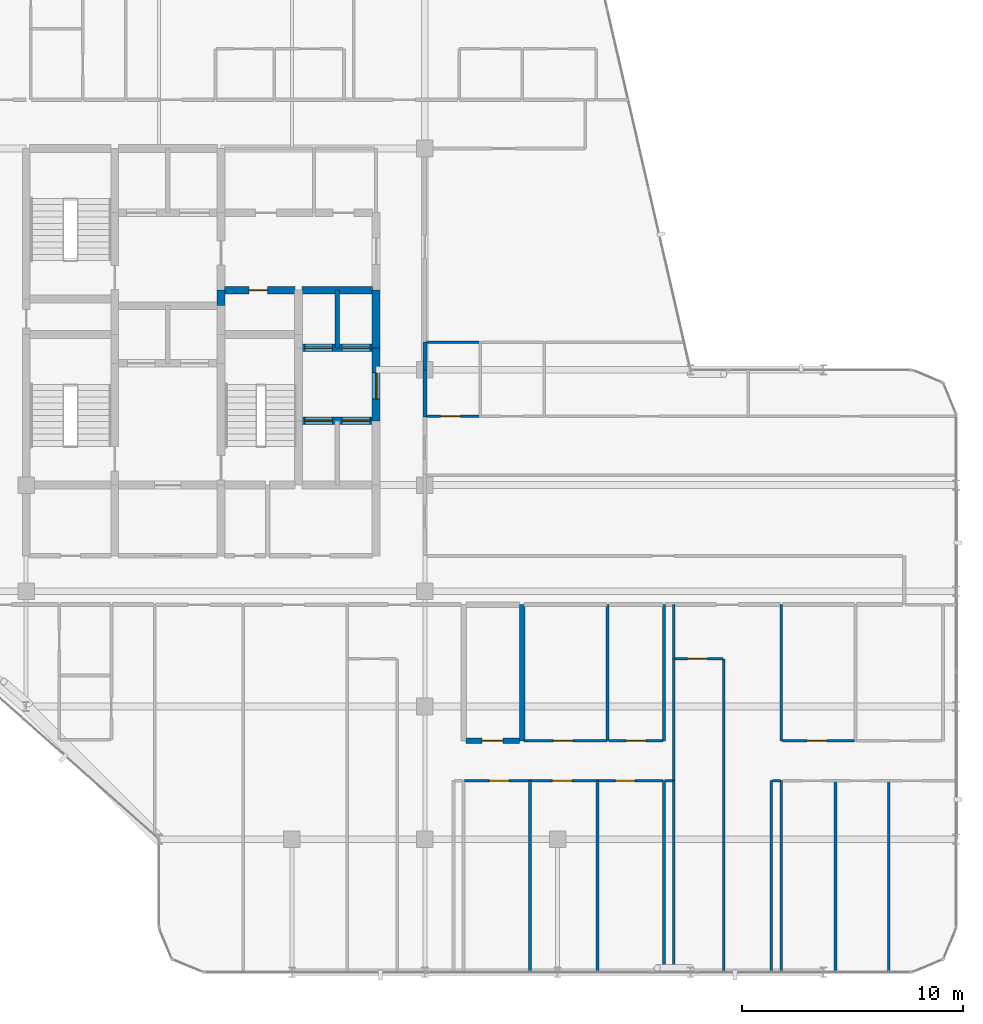
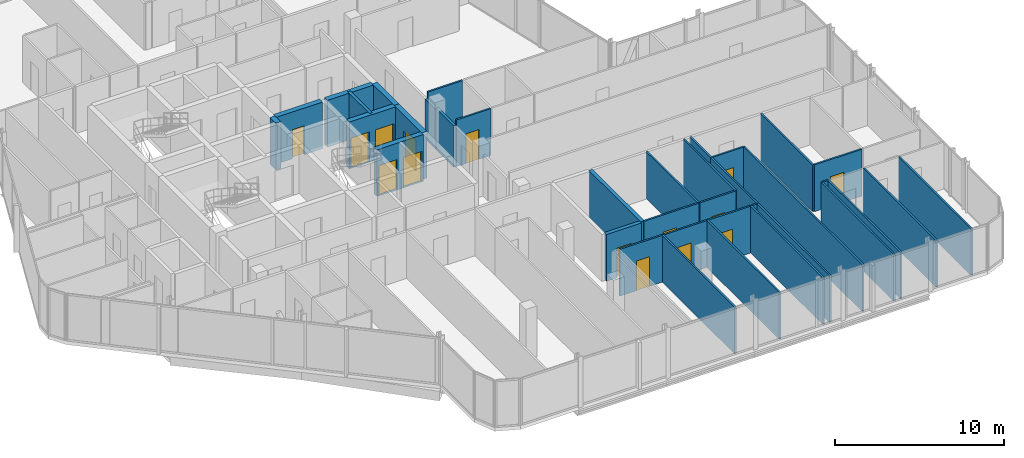
# One storey, part 25 of 29: 35 walls, 15 doors, 15 openings.
"""IFC4 building model written with IfcOpenShell, lengths in metres."""

from ifc_helpers import new_model, si_unit, direction, frame, frame_2d, origin, place, context, subcontext, project, spatial, rectangle, extrude, material, layer, layer_set, type_object, element, fill, save


model = new_model("IFC4")

# Units and contexts
model_context = context("Model", 3, precision=1e-05, world=origin(), true_north=direction((0.0, 1.0)))
body_context = subcontext(model_context, "Body", "Model", "MODEL_VIEW")
ifc_project = project(units=[si_unit("LENGTHUNIT", "METRE"), si_unit("AREAUNIT", "SQUARE_METRE"), si_unit("VOLUMEUNIT", "CUBIC_METRE"), si_unit("PLANEANGLEUNIT", "RADIAN"), si_unit("MASSUNIT", "GRAM", prefix="KILO")], contexts=[model_context])

# Site, building, storey
site_placement = place(None, origin())
site = spatial("IfcSite", under=ifc_project, at=site_placement, CompositionType="ELEMENT")
building_placement = place(site_placement, origin())
building = spatial("IfcBuilding", under=site, at=building_placement, Name="Keshet Zoharim Tower", CompositionType="ELEMENT")
storey_placement = place(building_placement, frame((0.0, 0.0, 210.60009765625)))
storey = spatial("IfcBuildingStorey", under=building, at=storey_placement, Name="L52", CompositionType="ELEMENT", Elevation=210.60009765625)

# Wall
ifc_material_1 = material(Name="Concrete C60/75", Category="concrete")
ifc_layer_1 = layer(ifc_material_1, 0.35009765625)
ifc_layer_set_1 = layer_set([ifc_layer_1], Name="Concrete C60/75")
wall_type_1 = type_object("IfcWallType", Name="WL-CORE-350", PredefinedType="SHEAR", material=ifc_layer_set_1)
wall_1_placement = place(storey_placement, frame((23.800048828125, 30.800048828125, 0.0), z_axis=(0.0, 0.0, 1.0), x_axis=(0.0, 1.0, 0.0)))
element("IfcWall", 1, at=wall_1_placement, inside=storey, type_object=wall_type_1, Name="L52 Core Shear Wall 041", PredefinedType="SHEAR", context=body_context, shape_type="SweptSolid", body=[
    extrude(rectangle(XDim=0.699951171875, YDim=0.35009765625, at=frame_2d((0.35009765625, 0.0))), origin(), (0.0, 0.0, 1.0), 3.389892578125),
])

# Wall, opening, door
wall_2_placement = place(storey_placement, frame((30.800048828125, 25.60009765625, 0.0), z_axis=(0.0, 0.0, 1.0), x_axis=(0.0, 1.0, 0.0)))
wall_2 = element("IfcWall", 2, at=wall_2_placement, inside=storey, type_object=wall_type_1, Name="L52 Core Shear Wall 062", PredefinedType="SHEAR", context=body_context, shape_type="SweptSolid", body=[
    extrude(rectangle(XDim=3.2998046875, YDim=0.35009765625, at=frame_2d((1.64990234375, 0.0))), origin(), (0.0, 0.0, 1.0), 3.389892578125),
])
opening_1_placement = place(wall_2_placement, frame((0.97802734375, 0.0, 0.0)))
opening_1 = element("IfcOpeningElement", 3, at=opening_1_placement, cuts=wall_2, Name="Opening D-F612", PredefinedType="OPENING", context=body_context, shape_type="SweptSolid", body=[
    extrude(rectangle(XDim=1.199951171875, YDim=2.199951171875, at=frame_2d((0.60009765625, 1.10009765625))), frame((0.0, 0.18505859375, 0.0), z_axis=(0.0, -1.0, 0.0), x_axis=(1.0, 0.0, 0.0)), (0.0, 0.0, 1.0), 0.3701171875),
])
ifc_material_2 = material(Name="Hardwood Timber", Category="wood")
door_type_1 = type_object("IfcDoorType", Name="DR-FD60-120", OperationType="NOTDEFINED", PredefinedType="DOOR", material=ifc_material_2)
door_1_placement = place(opening_1_placement, origin())
door_1 = element("IfcDoor", 4, at=door_1_placement, inside=storey, type_object=door_type_1, Name="L52 East Lift Lobby Fire Door", OperationType="SINGLE_SWING_RIGHT", OverallHeight=2.199951171875, OverallWidth=1.199951171875, PredefinedType="DOOR", context=body_context, shape_type="SweptSolid", body=[
    extrude(rectangle(XDim=1.199951171875, YDim=2.199951171875, at=frame_2d((0.60009765625, 1.10009765625))), frame((0.0, 0.02490234375, 0.0), z_axis=(0.0, -1.0, 0.0), x_axis=(1.0, 0.0, 0.0)), (0.0, 0.0, 1.0), 0.050048828125),
])
fill(opening_1, door_1)

# Wall
wall_3_placement = place(storey_placement, frame((30.800048828125, 28.89990234375, 0.0), z_axis=(0.0, 0.0, 1.0), x_axis=(0.0, 1.0, 0.0)))
element("IfcWall", 5, at=wall_3_placement, inside=storey, type_object=wall_type_1, Name="L52 Core Shear Wall 063", PredefinedType="SHEAR", context=body_context, shape_type="SweptSolid", body=[
    extrude(rectangle(XDim=2.60009765625, YDim=0.35009765625, at=frame_2d((1.300048828125, 0.0))), origin(), (0.0, 0.0, 1.0), 3.389892578125),
])

# Wall, openings, doors
wall_4_placement = place(storey_placement, frame((27.4599609375, 25.60009765625, 0.0), z_axis=(0.0, 0.0, 1.0), x_axis=(1.0, 0.0, 0.0)))
wall_4 = element("IfcWall", 6, at=wall_4_placement, inside=storey, type_object=wall_type_1, Name="L52 Core Shear Wall 147", PredefinedType="SHEAR", context=body_context, shape_type="SweptSolid", body=[
    extrude(rectangle(XDim=3.179931640625, YDim=0.35009765625, at=frame_2d((1.58984375, 0.0))), origin(), (0.0, 0.0, 1.0), 3.389892578125),
])
opening_2_placement = place(wall_4_placement, frame((0.1201171875, 0.0, 0.0)))
opening_2 = element("IfcOpeningElement", 7, at=opening_2_placement, cuts=wall_4, Name="Opening LD-01", PredefinedType="OPENING", context=body_context, shape_type="SweptSolid", body=[
    extrude(rectangle(XDim=1.25, YDim=2.199951171875, at=frame_2d((0.625, 1.10009765625))), frame((0.0, 0.18505859375, 0.0), z_axis=(0.0, -1.0, 0.0), x_axis=(1.0, 0.0, 0.0)), (0.0, 0.0, 1.0), 0.3701171875),
])
opening_3_placement = place(wall_4_placement, frame((1.81005859375, 0.0, 0.0)))
opening_3 = element("IfcOpeningElement", 8, at=opening_3_placement, cuts=wall_4, Name="Opening LD-01", PredefinedType="OPENING", context=body_context, shape_type="SweptSolid", body=[
    extrude(rectangle(XDim=1.25, YDim=2.199951171875, at=frame_2d((0.625, 1.10009765625))), frame((0.0, 0.18505859375, 0.0), z_axis=(0.0, -1.0, 0.0), x_axis=(1.0, 0.0, 0.0)), (0.0, 0.0, 1.0), 0.3701171875),
])
ifc_material_3 = material(Name="Steel S355", Category="steel")
door_type_2 = type_object("IfcDoorType", Name="DR-LD01-125", OperationType="DOUBLE_DOOR_SLIDING", PredefinedType="DOOR", material=ifc_material_3)
door_2_placement = place(opening_2_placement, origin())
door_2 = element("IfcDoor", 9, at=door_2_placement, inside=storey, type_object=door_type_2, Name="L52 Passenger Lift Landing Door LF-07", OperationType="DOUBLE_DOOR_SLIDING", OverallHeight=2.199951171875, OverallWidth=1.25, PredefinedType="DOOR", context=body_context, shape_type="SweptSolid", body=[
    extrude(rectangle(XDim=1.25, YDim=2.199951171875, at=frame_2d((0.625, 1.10009765625))), frame((0.0, 0.02490234375, 0.0), z_axis=(0.0, -1.0, 0.0), x_axis=(1.0, 0.0, 0.0)), (0.0, 0.0, 1.0), 0.050048828125),
])
fill(opening_2, door_2)
door_3_placement = place(opening_3_placement, origin())
door_3 = element("IfcDoor", 10, at=door_3_placement, inside=storey, type_object=door_type_2, Name="L52 Passenger Lift Landing Door LF-08", OperationType="DOUBLE_DOOR_SLIDING", OverallHeight=2.199951171875, OverallWidth=1.25, PredefinedType="DOOR", context=body_context, shape_type="SweptSolid", body=[
    extrude(rectangle(XDim=1.25, YDim=2.199951171875, at=frame_2d((0.625, 1.10009765625))), frame((0.0, 0.02490234375, 0.0), z_axis=(0.0, -1.0, 0.0), x_axis=(1.0, 0.0, 0.0)), (0.0, 0.0, 1.0), 0.050048828125),
])
fill(opening_3, door_3)

wall_5_placement = place(storey_placement, frame((27.4599609375, 28.89990234375, 0.0), z_axis=(0.0, 0.0, 1.0), x_axis=(1.0, 0.0, 0.0)))
wall_5 = element("IfcWall", 11, at=wall_5_placement, inside=storey, type_object=wall_type_1, Name="L52 Core Shear Wall 158", PredefinedType="SHEAR", context=body_context, shape_type="SweptSolid", body=[
    extrude(rectangle(XDim=3.179931640625, YDim=0.35009765625, at=frame_2d((1.58984375, 0.0))), origin(), (0.0, 0.0, 1.0), 3.389892578125),
])
opening_4_placement = place(wall_5_placement, frame((0.1201171875, 0.0, 0.0)))
opening_4 = element("IfcOpeningElement", 12, at=opening_4_placement, cuts=wall_5, Name="Opening LD-01", PredefinedType="OPENING", context=body_context, shape_type="SweptSolid", body=[
    extrude(rectangle(XDim=1.25, YDim=2.199951171875, at=frame_2d((0.625, 1.10009765625))), frame((0.0, 0.18505859375, 0.0), z_axis=(0.0, -1.0, 0.0), x_axis=(1.0, 0.0, 0.0)), (0.0, 0.0, 1.0), 0.3701171875),
])
opening_5_placement = place(wall_5_placement, frame((1.81005859375, 0.0, 0.0)))
opening_5 = element("IfcOpeningElement", 13, at=opening_5_placement, cuts=wall_5, Name="Opening LD-01", PredefinedType="OPENING", context=body_context, shape_type="SweptSolid", body=[
    extrude(rectangle(XDim=1.25, YDim=2.199951171875, at=frame_2d((0.625, 1.10009765625))), frame((0.0, 0.18505859375, 0.0), z_axis=(0.0, -1.0, 0.0), x_axis=(1.0, 0.0, 0.0)), (0.0, 0.0, 1.0), 0.3701171875),
])
door_4_placement = place(opening_4_placement, origin())
door_4 = element("IfcDoor", 14, at=door_4_placement, inside=storey, type_object=door_type_2, Name="L52 Passenger Lift Landing Door LF-05", OperationType="DOUBLE_DOOR_SLIDING", OverallHeight=2.199951171875, OverallWidth=1.25, PredefinedType="DOOR", context=body_context, shape_type="SweptSolid", body=[
    extrude(rectangle(XDim=1.25, YDim=2.199951171875, at=frame_2d((0.625, 1.10009765625))), frame((0.0, 0.02490234375, 0.0), z_axis=(0.0, -1.0, 0.0), x_axis=(1.0, 0.0, 0.0)), (0.0, 0.0, 1.0), 0.050048828125),
])
fill(opening_4, door_4)
door_5_placement = place(opening_5_placement, origin())
door_5 = element("IfcDoor", 15, at=door_5_placement, inside=storey, type_object=door_type_2, Name="L52 Passenger Lift Landing Door LF-06", OperationType="DOUBLE_DOOR_SLIDING", OverallHeight=2.199951171875, OverallWidth=1.25, PredefinedType="DOOR", context=body_context, shape_type="SweptSolid", body=[
    extrude(rectangle(XDim=1.25, YDim=2.199951171875, at=frame_2d((0.625, 1.10009765625))), frame((0.0, 0.02490234375, 0.0), z_axis=(0.0, -1.0, 0.0), x_axis=(1.0, 0.0, 0.0)), (0.0, 0.0, 1.0), 0.050048828125),
])
fill(opening_5, door_5)

# Wall, opening, door
wall_6_placement = place(storey_placement, frame((23.9599609375, 31.5, 0.0), z_axis=(0.0, 0.0, 1.0), x_axis=(1.0, 0.0, 0.0)))
wall_6 = element("IfcWall", 16, at=wall_6_placement, inside=storey, type_object=wall_type_1, Name="L52 Core Shear Wall 168", PredefinedType="SHEAR", context=body_context, shape_type="SweptSolid", body=[
    extrude(rectangle(XDim=3.179931640625, YDim=0.35009765625, at=frame_2d((1.58984375, 0.0))), origin(), (0.0, 0.0, 1.0), 3.389892578125),
])
opening_6_placement = place(wall_6_placement, frame((1.093994140625, 0.0, 0.0)))
opening_6 = element("IfcOpeningElement", 17, at=opening_6_placement, cuts=wall_6, Name="Opening D-RS85", PredefinedType="OPENING", context=body_context, shape_type="SweptSolid", body=[
    extrude(rectangle(XDim=0.85009765625, YDim=2.10009765625, at=frame_2d((0.425048828125, 1.050048828125))), frame((0.0, 0.18505859375, 0.0), z_axis=(0.0, -1.0, 0.0), x_axis=(1.0, 0.0, 0.0)), (0.0, 0.0, 1.0), 0.3701171875),
])
door_type_3 = type_object("IfcDoorType", Name="DR-RIS-085", OperationType="NOTDEFINED", PredefinedType="DOOR", material=ifc_material_2)
door_6_placement = place(opening_6_placement, origin())
door_6 = element("IfcDoor", 18, at=door_6_placement, inside=storey, type_object=door_type_3, Name="L52 Telecom Riser Access Cupboard Door", OperationType="SINGLE_SWING_LEFT", OverallHeight=2.10009765625, OverallWidth=0.85009765625, PredefinedType="DOOR", context=body_context, shape_type="SweptSolid", body=[
    extrude(rectangle(XDim=0.85009765625, YDim=2.10009765625, at=frame_2d((0.425048828125, 1.050048828125))), frame((0.0, 0.02490234375, 0.0), z_axis=(0.0, -1.0, 0.0), x_axis=(1.0, 0.0, 0.0)), (0.0, 0.0, 1.0), 0.050048828125),
])
fill(opening_6, door_6)

# Walls
wall_7_placement = place(storey_placement, frame((27.4599609375, 31.5, 0.0), z_axis=(0.0, 0.0, 1.0), x_axis=(1.0, 0.0, 0.0)))
element("IfcWall", 19, at=wall_7_placement, inside=storey, type_object=wall_type_1, Name="L52 Core Shear Wall 169", PredefinedType="SHEAR", context=body_context, shape_type="SweptSolid", body=[
    extrude(rectangle(XDim=3.179931640625, YDim=0.35009765625, at=frame_2d((1.58984375, 0.0))), origin(), (0.0, 0.0, 1.0), 3.389892578125),
])
ifc_material_4 = material(Name="Gypsum Plasterboard", Category="gypsum")
ifc_layer_2 = layer(ifc_material_4, 0.179931640625)
ifc_layer_set_2 = layer_set([ifc_layer_2], Name="Gypsum Plasterboard")
wall_type_2 = type_object("IfcWallType", Name="WL-CORR-180", PredefinedType="STANDARD", material=ifc_layer_set_2)
wall_8_placement = place(storey_placement, frame((33.0, 25.780029296875, 0.0), z_axis=(0.0, 0.0, 1.0), x_axis=(0.0, 1.0, 0.0)))
element("IfcWall", 20, at=wall_8_placement, inside=storey, type_object=wall_type_2, Name="L52 Interior Wall 069", PredefinedType="STANDARD", context=body_context, shape_type="SweptSolid", body=[
    extrude(rectangle(XDim=2.119873046875, YDim=0.179931640625, at=frame_2d((1.06005859375, 0.0))), origin(), (0.0, 0.0, 1.0), 2.989990234375),
])
wall_9_placement = place(storey_placement, frame((33.0, 27.89990234375, 0.0), z_axis=(0.0, 0.0, 1.0), x_axis=(0.0, 1.0, 0.0)))
element("IfcWall", 21, at=wall_9_placement, inside=storey, type_object=wall_type_2, Name="L52 Interior Wall 069 Part 2", PredefinedType="STANDARD", context=body_context, shape_type="SweptSolid", body=[
    extrude(rectangle(XDim=1.260009765625, YDim=0.179931640625, at=frame_2d((0.6298828125, 0.0))), origin(), (0.0, 0.0, 1.0), 2.889892578125),
])
ifc_material_5 = material(Name="Concrete C50/60", Category="concrete")
ifc_layer_3 = layer(ifc_material_5, 0.199951171875)
ifc_layer_set_3 = layer_set([ifc_layer_3], Name="Concrete C50/60")
wall_type_3 = type_object("IfcWallType", Name="WL-FIRE-200", PredefinedType="STANDARD", material=ifc_layer_set_3)
wall_10_placement = place(storey_placement, frame((29.050048828125, 28.89990234375, 0.0), z_axis=(0.0, 0.0, 1.0), x_axis=(0.0, 1.0, 0.0)))
element("IfcWall", 22, at=wall_10_placement, inside=storey, type_object=wall_type_3, Name="L52 Interior Wall 054", PredefinedType="STANDARD", context=body_context, shape_type="SweptSolid", body=[
    extrude(rectangle(XDim=2.60009765625, YDim=0.199951171875, at=frame_2d((1.300048828125, 0.0))), origin(), (0.0, 0.0, 1.0), 3.389892578125),
])
ifc_layer_4 = layer(ifc_material_5, 0.25)
ifc_layer_set_4 = layer_set([ifc_layer_4], Name="Concrete C50/60")
wall_type_4 = type_object("IfcWallType", Name="WL-MAMAD-250", PredefinedType="STANDARD", material=ifc_layer_set_4)
wall_11_placement = place(storey_placement, frame((37.39990234375, 11.14990234375, 0.0), z_axis=(0.0, 0.0, 1.0), x_axis=(0.0, 1.0, 0.0)))
element("IfcWall", 23, at=wall_11_placement, inside=storey, type_object=wall_type_4, Name="L52 Interior Wall 078", PredefinedType="STANDARD", context=body_context, shape_type="SweptSolid", body=[
    extrude(rectangle(XDim=6.150146484375, YDim=0.25, at=frame_2d((3.0751953125, 0.0))), origin(), (0.0, 0.0, 1.0), 3.389892578125),
])

# Wall, opening, door
wall_12_placement = place(storey_placement, frame((34.860107421875, 11.14990234375, 0.0), z_axis=(0.0, 0.0, 1.0), x_axis=(1.0, 0.0, 0.0)))
wall_12 = element("IfcWall", 24, at=wall_12_placement, inside=storey, type_object=wall_type_4, Name="L52 Interior Wall 107", PredefinedType="STANDARD", context=body_context, shape_type="SweptSolid", body=[
    extrude(rectangle(XDim=2.406982421875, YDim=0.25, at=frame_2d((1.20361328125, 0.0))), origin(), (0.0, 0.0, 1.0), 3.389892578125),
])
opening_7_placement = place(wall_12_placement, frame((0.72900390625, 0.0, 0.0)))
opening_7 = element("IfcOpeningElement", 25, at=opening_7_placement, cuts=wall_12, Name="Opening D-F695", PredefinedType="OPENING", context=body_context, shape_type="SweptSolid", body=[
    extrude(rectangle(XDim=0.949951171875, YDim=2.14990234375, at=frame_2d((0.47509765625, 1.074951171875))), frame((0.0, 0.135009765625, 0.0), z_axis=(0.0, -1.0, 0.0), x_axis=(1.0, 0.0, 0.0)), (0.0, 0.0, 1.0), 0.27001953125),
])
door_type_4 = type_object("IfcDoorType", Name="DR-FD60-095", OperationType="NOTDEFINED", PredefinedType="DOOR", material=ifc_material_2)
door_7_placement = place(opening_7_placement, origin())
door_7 = element("IfcDoor", 26, at=door_7_placement, inside=storey, type_object=door_type_4, Name="Apartment 5202 Study and Shelter Room Door", OperationType="SINGLE_SWING_LEFT", OverallHeight=2.14990234375, OverallWidth=0.949951171875, PredefinedType="DOOR", context=body_context, shape_type="SweptSolid", body=[
    extrude(rectangle(XDim=0.949951171875, YDim=2.14990234375, at=frame_2d((0.47509765625, 1.074951171875))), frame((0.0, 0.02490234375, 0.0), z_axis=(0.0, -1.0, 0.0), x_axis=(1.0, 0.0, 0.0)), (0.0, 0.0, 1.0), 0.050048828125),
])
fill(opening_7, door_7)

# Walls
ifc_layer_5 = layer(ifc_material_4, 0.1201171875)
ifc_layer_set_5 = layer_set([ifc_layer_5], Name="Gypsum Plasterboard")
wall_type_5 = type_object("IfcWallType", Name="WL-PART-120", PredefinedType="PARTITIONING", material=ifc_layer_set_5)
for number, where, z_axis, x_axis, name in (
    (27, (37.75, 0.7099609375, 0.0), (0.0, 0.0, 1.0), (0.0, 1.0, 0.0), "L52 Interior Wall 081"),
    (28, (40.800048828125, 0.7099609375, 0.0), (0.0, 0.0, 1.0), (0.0, 1.0, 0.0), "L52 Interior Wall 085"),
    (29, (43.800048828125, 0.7099609375, 0.0), (0.0, 0.0, 1.0), (0.0, 1.0, 0.0), "L52 Interior Wall 087"),
    (30, (44.25, 0.7099609375, 0.0), (0.0, 0.0, 1.0), (0.0, 1.0, 0.0), "L52 Interior Wall 089"),
):
    element("IfcWall", number, at=place(storey_placement, frame(where, z_axis=z_axis, x_axis=x_axis)), inside=storey, type_object=wall_type_5, Name=name, PredefinedType="PARTITIONING", context=body_context, shape_type="SweptSolid", body=[
        extrude(rectangle(XDim=8.64013671875, YDim=0.1201171875, at=frame_2d((4.320068359375, 0.0))), origin(), (0.0, 0.0, 1.0), 3.389892578125),
    ])
wall_13_placement = place(storey_placement, frame((44.25, 9.35009765625, 0.0), z_axis=(0.0, 0.0, 1.0), x_axis=(0.0, 1.0, 0.0)))
element("IfcWall", 31, at=wall_13_placement, inside=storey, type_object=wall_type_5, Name="L52 Interior Wall 090", PredefinedType="PARTITIONING", context=body_context, shape_type="SweptSolid", body=[
    extrude(rectangle(XDim=5.5, YDim=0.1201171875, at=frame_2d((2.75, 0.0))), origin(), (0.0, 0.0, 1.0), 3.389892578125),
])
wall_14_placement = place(storey_placement, frame((44.25, 14.85009765625, 0.0), z_axis=(0.0, 0.0, 1.0), x_axis=(0.0, 1.0, 0.0)))
element("IfcWall", 32, at=wall_14_placement, inside=storey, type_object=wall_type_5, Name="L52 Interior Wall 091", PredefinedType="PARTITIONING", context=body_context, shape_type="SweptSolid", body=[
    extrude(rectangle(XDim=2.449951171875, YDim=0.1201171875, at=frame_2d((1.22509765625, 0.0))), origin(), (0.0, 0.0, 1.0), 3.389892578125),
])
wall_15_placement = place(storey_placement, frame((46.5, 0.7099609375, 0.0), z_axis=(0.0, 0.0, 1.0), x_axis=(0.0, 1.0, 0.0)))
element("IfcWall", 33, at=wall_15_placement, inside=storey, type_object=wall_type_5, Name="L52 Interior Wall 092", PredefinedType="PARTITIONING", context=body_context, shape_type="SweptSolid", body=[
    extrude(rectangle(XDim=14.14013671875, YDim=0.1201171875, at=frame_2d((7.070068359375, 0.0))), origin(), (0.0, 0.0, 1.0), 3.389892578125),
])
for number, where, z_axis, x_axis, name in (
    (34, (48.64990234375, 0.7099609375, 0.0), (0.0, 0.0, 1.0), (0.0, 1.0, 0.0), "L52 Interior Wall 094"),
    (35, (49.10009765625, 0.7099609375, 0.0), (0.0, 0.0, 1.0), (0.0, 1.0, 0.0), "L52 Interior Wall 095"),
):
    element("IfcWall", number, at=place(storey_placement, frame(where, z_axis=z_axis, x_axis=x_axis)), inside=storey, type_object=wall_type_5, Name=name, PredefinedType="PARTITIONING", context=body_context, shape_type="SweptSolid", body=[
        extrude(rectangle(XDim=8.64013671875, YDim=0.1201171875, at=frame_2d((4.320068359375, 0.0))), origin(), (0.0, 0.0, 1.0), 3.389892578125),
    ])
wall_16_placement = place(storey_placement, frame((49.10009765625, 11.14990234375, 0.0), z_axis=(0.0, 0.0, 1.0), x_axis=(0.0, 1.0, 0.0)))
element("IfcWall", 36, at=wall_16_placement, inside=storey, type_object=wall_type_5, Name="L52 Interior Wall 096", PredefinedType="PARTITIONING", context=body_context, shape_type="SweptSolid", body=[
    extrude(rectangle(XDim=6.150146484375, YDim=0.1201171875, at=frame_2d((3.0751953125, 0.0))), origin(), (0.0, 0.0, 1.0), 3.389892578125),
])
for number, where, z_axis, x_axis, name in (
    (37, (51.550048828125, 0.7099609375, 0.0), (0.0, 0.0, 1.0), (0.0, 1.0, 0.0), "L52 Interior Wall 097"),
    (38, (53.949951171875, 0.7099609375, 0.0), (0.0, 0.0, 1.0), (0.0, 1.0, 0.0), "L52 Interior Wall 099"),
):
    element("IfcWall", number, at=place(storey_placement, frame(where, z_axis=z_axis, x_axis=x_axis)), inside=storey, type_object=wall_type_5, Name=name, PredefinedType="PARTITIONING", context=body_context, shape_type="SweptSolid", body=[
        extrude(rectangle(XDim=8.64013671875, YDim=0.1201171875, at=frame_2d((4.320068359375, 0.0))), origin(), (0.0, 0.0, 1.0), 3.389892578125),
    ])

# Wall, openings, doors
wall_17_placement = place(storey_placement, frame((34.794921875, 9.35009765625, 0.0), z_axis=(0.0, 0.0, 1.0), x_axis=(1.0, 0.0, 0.0)))
wall_17 = element("IfcWall", 39, at=wall_17_placement, inside=storey, type_object=wall_type_5, Name="L52 Interior Wall 103", PredefinedType="PARTITIONING", context=body_context, shape_type="SweptSolid", body=[
    extrude(rectangle(XDim=8.969970703125, YDim=0.1201171875, at=frame_2d((4.48486328125, 0.0))), origin(), (0.0, 0.0, 1.0), 3.389892578125),
])
opening_8_placement = place(wall_17_placement, frame((1.118896484375, 0.0, 0.0)))
opening_8 = element("IfcOpeningElement", 40, at=opening_8_placement, cuts=wall_17, Name="Opening D-IN90", PredefinedType="OPENING", context=body_context, shape_type="SweptSolid", body=[
    extrude(rectangle(XDim=0.89990234375, YDim=2.14990234375, at=frame_2d((0.449951171875, 1.074951171875))), frame((0.0, 0.070068359375, 0.0), z_axis=(0.0, -1.0, 0.0), x_axis=(1.0, 0.0, 0.0)), (0.0, 0.0, 1.0), 0.14013671875),
])
opening_9_placement = place(wall_17_placement, frame((3.9619140625, 0.0, 0.0)))
opening_9 = element("IfcOpeningElement", 41, at=opening_9_placement, cuts=wall_17, Name="Opening D-IN90", PredefinedType="OPENING", context=body_context, shape_type="SweptSolid", body=[
    extrude(rectangle(XDim=0.89990234375, YDim=2.14990234375, at=frame_2d((0.449951171875, 1.074951171875))), frame((0.0, 0.070068359375, 0.0), z_axis=(0.0, -1.0, 0.0), x_axis=(1.0, 0.0, 0.0)), (0.0, 0.0, 1.0), 0.14013671875),
])
opening_10_placement = place(wall_17_placement, frame((6.80908203125, 0.0, 0.0)))
opening_10 = element("IfcOpeningElement", 42, at=opening_10_placement, cuts=wall_17, Name="Opening D-IN90", PredefinedType="OPENING", context=body_context, shape_type="SweptSolid", body=[
    extrude(rectangle(XDim=0.89990234375, YDim=2.14990234375, at=frame_2d((0.449951171875, 1.074951171875))), frame((0.0, 0.070068359375, 0.0), z_axis=(0.0, -1.0, 0.0), x_axis=(1.0, 0.0, 0.0)), (0.0, 0.0, 1.0), 0.14013671875),
])
door_type_5 = type_object("IfcDoorType", Name="DR-INT-090", OperationType="NOTDEFINED", PredefinedType="DOOR", material=ifc_material_2)
door_8_placement = place(opening_8_placement, origin())
door_8 = element("IfcDoor", 43, at=door_8_placement, inside=storey, type_object=door_type_5, Name="Apartment 5202 Bedroom 1 Door", OperationType="SINGLE_SWING_LEFT", OverallHeight=2.14990234375, OverallWidth=0.89990234375, PredefinedType="DOOR", context=body_context, shape_type="SweptSolid", body=[
    extrude(rectangle(XDim=0.89990234375, YDim=2.14990234375, at=frame_2d((0.449951171875, 1.074951171875))), frame((0.0, 0.02490234375, 0.0), z_axis=(0.0, -1.0, 0.0), x_axis=(1.0, 0.0, 0.0)), (0.0, 0.0, 1.0), 0.050048828125),
])
fill(opening_8, door_8)
door_9_placement = place(opening_9_placement, origin())
door_9 = element("IfcDoor", 44, at=door_9_placement, inside=storey, type_object=door_type_5, Name="Apartment 5202 Bedroom 2 Door", OperationType="SINGLE_SWING_RIGHT", OverallHeight=2.14990234375, OverallWidth=0.89990234375, PredefinedType="DOOR", context=body_context, shape_type="SweptSolid", body=[
    extrude(rectangle(XDim=0.89990234375, YDim=2.14990234375, at=frame_2d((0.449951171875, 1.074951171875))), frame((0.0, 0.02490234375, 0.0), z_axis=(0.0, -1.0, 0.0), x_axis=(1.0, 0.0, 0.0)), (0.0, 0.0, 1.0), 0.050048828125),
])
fill(opening_9, door_9)
door_10_placement = place(opening_10_placement, origin())
door_10 = element("IfcDoor", 45, at=door_10_placement, inside=storey, type_object=door_type_5, Name="Apartment 5202 Bedroom 3 Door", OperationType="SINGLE_SWING_LEFT", OverallHeight=2.14990234375, OverallWidth=0.89990234375, PredefinedType="DOOR", context=body_context, shape_type="SweptSolid", body=[
    extrude(rectangle(XDim=0.89990234375, YDim=2.14990234375, at=frame_2d((0.449951171875, 1.074951171875))), frame((0.0, 0.02490234375, 0.0), z_axis=(0.0, -1.0, 0.0), x_axis=(1.0, 0.0, 0.0)), (0.0, 0.0, 1.0), 0.050048828125),
])
fill(opening_10, door_10)

# Walls
wall_18_placement = place(storey_placement, frame((43.85498046875, 9.35009765625, 0.0), z_axis=(0.0, 0.0, 1.0), x_axis=(1.0, 0.0, 0.0)))
element("IfcWall", 46, at=wall_18_placement, inside=storey, type_object=wall_type_5, Name="L52 Interior Wall 104", PredefinedType="PARTITIONING", context=body_context, shape_type="SweptSolid", body=[
    extrude(rectangle(XDim=0.360107421875, YDim=0.1201171875, at=frame_2d((0.18017578125, 0.0))), origin(), (0.0, 0.0, 1.0), 3.389892578125),
])
wall_19_placement = place(storey_placement, frame((48.705078125, 9.35009765625, 0.0), z_axis=(0.0, 0.0, 1.0), x_axis=(1.0, 0.0, 0.0)))
element("IfcWall", 47, at=wall_19_placement, inside=storey, type_object=wall_type_5, Name="L52 Interior Wall 105", PredefinedType="PARTITIONING", context=body_context, shape_type="SweptSolid", body=[
    extrude(rectangle(XDim=0.35986328125, YDim=0.1201171875, at=frame_2d((0.179931640625, 0.0))), origin(), (0.0, 0.0, 1.0), 3.389892578125),
])

# Wall, opening, door
wall_20_placement = place(storey_placement, frame((37.487060546875, 11.14990234375, 0.0), z_axis=(0.0, 0.0, 1.0), x_axis=(1.0, 0.0, 0.0)))
wall_20 = element("IfcWall", 48, at=wall_20_placement, inside=storey, type_object=wall_type_5, Name="L52 Interior Wall 108", PredefinedType="PARTITIONING", context=body_context, shape_type="SweptSolid", body=[
    extrude(rectangle(XDim=3.740966796875, YDim=0.1201171875, at=frame_2d((1.87060546875, 0.0))), origin(), (0.0, 0.0, 1.0), 3.389892578125),
])
opening_11_placement = place(wall_20_placement, frame((1.31494140625, 0.0, 0.0)))
opening_11 = element("IfcOpeningElement", 49, at=opening_11_placement, cuts=wall_20, Name="Opening D-IN90", PredefinedType="OPENING", context=body_context, shape_type="SweptSolid", body=[
    extrude(rectangle(XDim=0.89990234375, YDim=2.14990234375, at=frame_2d((0.449951171875, 1.074951171875))), frame((0.0, 0.070068359375, 0.0), z_axis=(0.0, -1.0, 0.0), x_axis=(1.0, 0.0, 0.0)), (0.0, 0.0, 1.0), 0.14013671875),
])
door_11_placement = place(opening_11_placement, origin())
door_11 = element("IfcDoor", 50, at=door_11_placement, inside=storey, type_object=door_type_5, Name="Apartment 5202 Kitchen Door", OperationType="SINGLE_SWING_RIGHT", OverallHeight=2.14990234375, OverallWidth=0.89990234375, PredefinedType="DOOR", context=body_context, shape_type="SweptSolid", body=[
    extrude(rectangle(XDim=0.89990234375, YDim=2.14990234375, at=frame_2d((0.449951171875, 1.074951171875))), frame((0.0, 0.02490234375, 0.0), z_axis=(0.0, -1.0, 0.0), x_axis=(1.0, 0.0, 0.0)), (0.0, 0.0, 1.0), 0.050048828125),
])
fill(opening_11, door_11)

wall_21_placement = place(storey_placement, frame((49.155029296875, 11.14990234375, 0.0), z_axis=(0.0, 0.0, 1.0), x_axis=(1.0, 0.0, 0.0)))
wall_21 = element("IfcWall", 51, at=wall_21_placement, inside=storey, type_object=wall_type_5, Name="L52 Interior Wall 110", PredefinedType="PARTITIONING", context=body_context, shape_type="SweptSolid", body=[
    extrude(rectangle(XDim=3.259033203125, YDim=0.1201171875, at=frame_2d((1.62939453125, 0.0))), origin(), (0.0, 0.0, 1.0), 3.389892578125),
])
opening_12_placement = place(wall_21_placement, frame((1.10498046875, 0.0, 0.0)))
opening_12 = element("IfcOpeningElement", 52, at=opening_12_placement, cuts=wall_21, Name="Opening D-IN90", PredefinedType="OPENING", context=body_context, shape_type="SweptSolid", body=[
    extrude(rectangle(XDim=0.89990234375, YDim=2.14990234375, at=frame_2d((0.449951171875, 1.074951171875))), frame((0.0, 0.070068359375, 0.0), z_axis=(0.0, -1.0, 0.0), x_axis=(1.0, 0.0, 0.0)), (0.0, 0.0, 1.0), 0.14013671875),
])
door_12_placement = place(opening_12_placement, origin())
door_12 = element("IfcDoor", 53, at=door_12_placement, inside=storey, type_object=door_type_5, Name="Apartment 5203 Kitchen Door", OperationType="SINGLE_SWING_RIGHT", OverallHeight=2.14990234375, OverallWidth=0.89990234375, PredefinedType="DOOR", context=body_context, shape_type="SweptSolid", body=[
    extrude(rectangle(XDim=0.89990234375, YDim=2.14990234375, at=frame_2d((0.449951171875, 1.074951171875))), frame((0.0, 0.02490234375, 0.0), z_axis=(0.0, -1.0, 0.0), x_axis=(1.0, 0.0, 0.0)), (0.0, 0.0, 1.0), 0.050048828125),
])
fill(opening_12, door_12)

wall_22_placement = place(storey_placement, frame((44.304931640625, 14.85009765625, 0.0), z_axis=(0.0, 0.0, 1.0), x_axis=(1.0, 0.0, 0.0)))
wall_22 = element("IfcWall", 54, at=wall_22_placement, inside=storey, type_object=wall_type_5, Name="L52 Interior Wall 115", PredefinedType="PARTITIONING", context=body_context, shape_type="SweptSolid", body=[
    extrude(rectangle(XDim=2.16015625, YDim=0.1201171875, at=frame_2d((1.080078125, 0.0))), origin(), (0.0, 0.0, 1.0), 3.389892578125),
])
opening_13_placement = place(wall_22_placement, frame((0.552978515625, 0.0, 0.0)))
opening_13 = element("IfcOpeningElement", 55, at=opening_13_placement, cuts=wall_22, Name="Opening D-IN90", PredefinedType="OPENING", context=body_context, shape_type="SweptSolid", body=[
    extrude(rectangle(XDim=0.89990234375, YDim=2.14990234375, at=frame_2d((0.449951171875, 1.074951171875))), frame((0.0, 0.070068359375, 0.0), z_axis=(0.0, -1.0, 0.0), x_axis=(1.0, 0.0, 0.0)), (0.0, 0.0, 1.0), 0.14013671875),
])
door_13_placement = place(opening_13_placement, origin())
door_13 = element("IfcDoor", 56, at=door_13_placement, inside=storey, type_object=door_type_5, Name="Apartment 5203 Formal Dining Room Door", OperationType="SINGLE_SWING_LEFT", OverallHeight=2.14990234375, OverallWidth=0.89990234375, PredefinedType="DOOR", context=body_context, shape_type="SweptSolid", body=[
    extrude(rectangle(XDim=0.89990234375, YDim=2.14990234375, at=frame_2d((0.449951171875, 1.074951171875))), frame((0.0, 0.02490234375, 0.0), z_axis=(0.0, -1.0, 0.0), x_axis=(1.0, 0.0, 0.0)), (0.0, 0.0, 1.0), 0.050048828125),
])
fill(opening_13, door_13)

wall_23_placement = place(storey_placement, frame((33.074951171875, 25.800048828125, 0.0), z_axis=(0.0, 0.0, 1.0), x_axis=(1.0, 0.0, 0.0)))
wall_23 = element("IfcWall", 57, at=wall_23_placement, inside=storey, type_object=wall_type_5, Name="L52 Interior Wall 150", PredefinedType="PARTITIONING", context=body_context, shape_type="SweptSolid", body=[
    extrude(rectangle(XDim=2.364013671875, YDim=0.1201171875, at=frame_2d((1.18212890625, 0.0))), origin(), (0.0, 0.0, 1.0), 3.389892578125),
])
opening_14_placement = place(wall_23_placement, frame((0.64111328125, 0.0, 0.0)))
opening_14 = element("IfcOpeningElement", 58, at=opening_14_placement, cuts=wall_23, Name="Opening D-IN90", PredefinedType="OPENING", context=body_context, shape_type="SweptSolid", body=[
    extrude(rectangle(XDim=0.89990234375, YDim=2.14990234375, at=frame_2d((0.449951171875, 1.074951171875))), frame((0.0, 0.070068359375, 0.0), z_axis=(0.0, -1.0, 0.0), x_axis=(1.0, 0.0, 0.0)), (0.0, 0.0, 1.0), 0.14013671875),
])
door_14_placement = place(opening_14_placement, origin())
door_14 = element("IfcDoor", 59, at=door_14_placement, inside=storey, type_object=door_type_5, Name="Apartment 5209 Kitchen Door", OperationType="SINGLE_SWING_LEFT", OverallHeight=2.14990234375, OverallWidth=0.89990234375, PredefinedType="DOOR", context=body_context, shape_type="SweptSolid", body=[
    extrude(rectangle(XDim=0.89990234375, YDim=2.14990234375, at=frame_2d((0.449951171875, 1.074951171875))), frame((0.0, 0.02490234375, 0.0), z_axis=(0.0, -1.0, 0.0), x_axis=(1.0, 0.0, 0.0)), (0.0, 0.0, 1.0), 0.050048828125),
])
fill(opening_14, door_14)

# Walls
wall_24_placement = place(storey_placement, frame((33.074951171875, 29.14990234375, 0.0), z_axis=(0.0, 0.0, 1.0), x_axis=(1.0, 0.0, 0.0)))
element("IfcWall", 60, at=wall_24_placement, inside=storey, type_object=wall_type_5, Name="L52 Interior Wall 159", PredefinedType="PARTITIONING", context=body_context, shape_type="SweptSolid", body=[
    extrude(rectangle(XDim=2.364013671875, YDim=0.1201171875, at=frame_2d((1.18212890625, 0.0))), origin(), (0.0, 0.0, 1.0), 3.389892578125),
])
ifc_layer_6 = layer(ifc_material_4, 0.1201171875)
ifc_layer_set_6 = layer_set([ifc_layer_6], Name="Gypsum Plasterboard")
wall_type_6 = type_object("IfcWallType", Name="WL-WET-120", PredefinedType="PARTITIONING", material=ifc_layer_set_6)
for number, where, z_axis, x_axis, name in (
    (61, (41.25, 11.14990234375, 0.0), (0.0, 0.0, 1.0), (0.0, 1.0, 0.0), "L52 Interior Wall 086"),
    (62, (43.800048828125, 11.14990234375, 0.0), (0.0, 0.0, 1.0), (0.0, 1.0, 0.0), "L52 Interior Wall 088"),
):
    element("IfcWall", number, at=place(storey_placement, frame(where, z_axis=z_axis, x_axis=x_axis)), inside=storey, type_object=wall_type_6, Name=name, PredefinedType="PARTITIONING", context=body_context, shape_type="SweptSolid", body=[
        extrude(rectangle(XDim=6.150146484375, YDim=0.1201171875, at=frame_2d((3.0751953125, 0.0))), origin(), (0.0, 0.0, 1.0), 3.389892578125),
    ])

# Wall, opening, door
wall_25_placement = place(storey_placement, frame((41.318115234375, 11.14990234375, 0.0), z_axis=(0.0, 0.0, 1.0), x_axis=(1.0, 0.0, 0.0)))
wall_25 = element("IfcWall", 63, at=wall_25_placement, inside=storey, type_object=wall_type_6, Name="L52 Interior Wall 109", PredefinedType="PARTITIONING", context=body_context, shape_type="SweptSolid", body=[
    extrude(rectangle(XDim=2.44677734375, YDim=0.1201171875, at=frame_2d((1.223388671875, 0.0))), origin(), (0.0, 0.0, 1.0), 3.389892578125),
])
opening_15_placement = place(wall_25_placement, frame((0.77392578125, 0.0, 0.0)))
opening_15 = element("IfcOpeningElement", 64, at=opening_15_placement, cuts=wall_25, Name="Opening D-WT90", PredefinedType="OPENING", context=body_context, shape_type="SweptSolid", body=[
    extrude(rectangle(XDim=0.89990234375, YDim=2.10009765625, at=frame_2d((0.449951171875, 1.050048828125))), frame((0.0, 0.070068359375, 0.0), z_axis=(0.0, -1.0, 0.0), x_axis=(1.0, 0.0, 0.0)), (0.0, 0.0, 1.0), 0.14013671875),
])
door_type_6 = type_object("IfcDoorType", Name="DR-WET-090", OperationType="NOTDEFINED", PredefinedType="DOOR", material=ifc_material_2)
door_15_placement = place(opening_15_placement, origin())
door_15 = element("IfcDoor", 65, at=door_15_placement, inside=storey, type_object=door_type_6, Name="Apartment 5202 Bathroom Door", OperationType="SINGLE_SWING_LEFT", OverallHeight=2.10009765625, OverallWidth=0.89990234375, PredefinedType="DOOR", context=body_context, shape_type="SweptSolid", body=[
    extrude(rectangle(XDim=0.89990234375, YDim=2.10009765625, at=frame_2d((0.449951171875, 1.050048828125))), frame((0.0, 0.02490234375, 0.0), z_axis=(0.0, -1.0, 0.0), x_axis=(1.0, 0.0, 0.0)), (0.0, 0.0, 1.0), 0.050048828125),
])
fill(opening_15, door_15)

save(model, "model.ifc")
